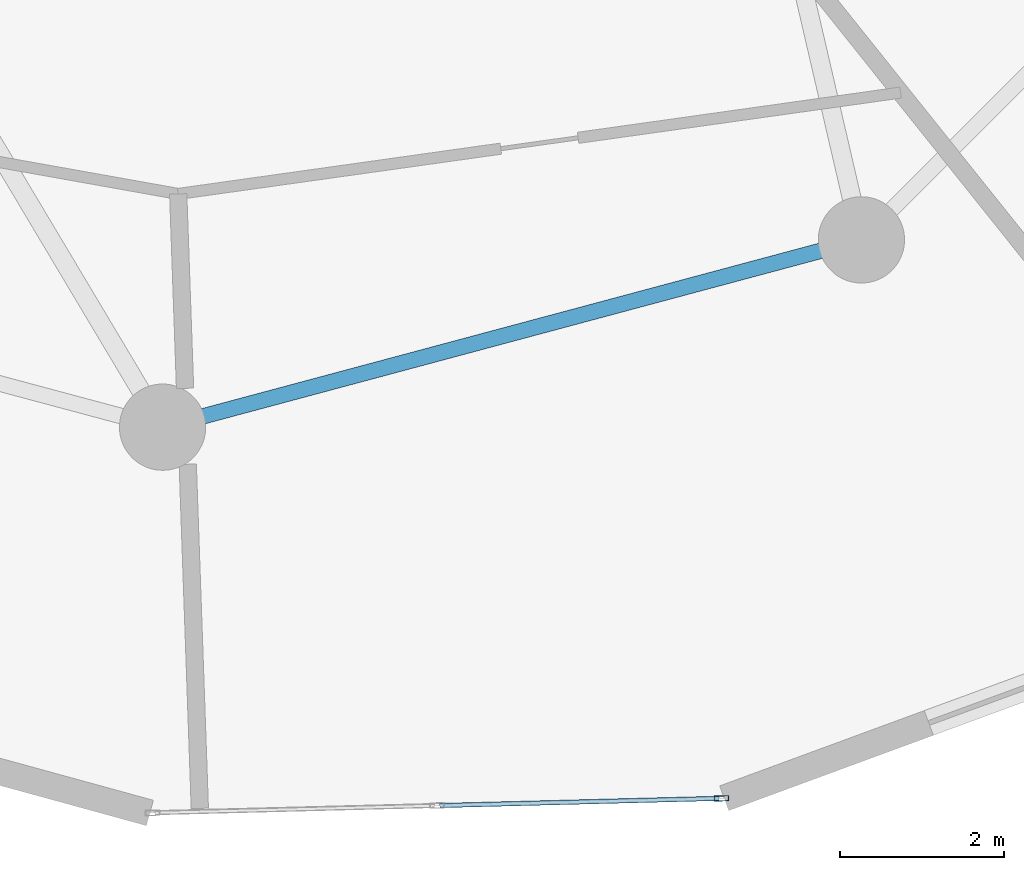
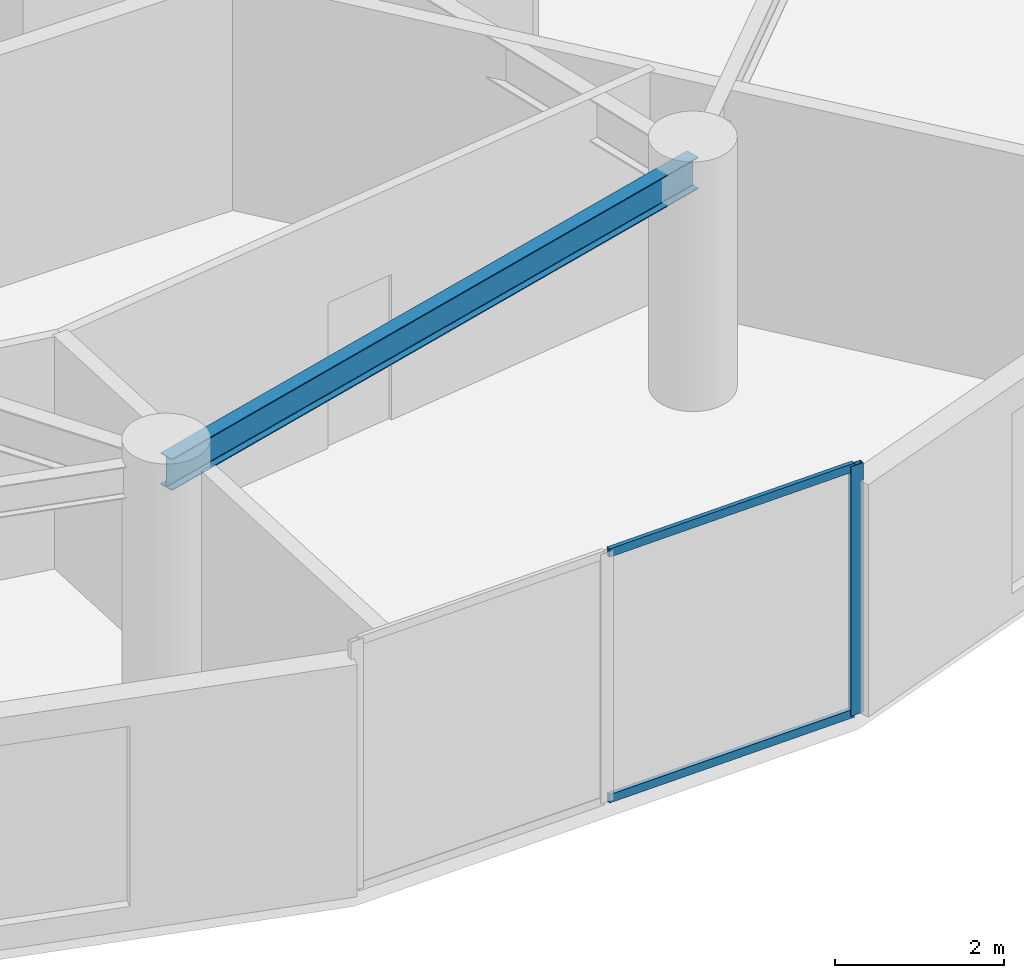
# One storey, part 4 of 25: 3 members, 1 beam, 1 element without a shape of its own.
"""IFC4 building model written with IfcOpenShell, lengths in metres."""

import ifcopenshell
import ifcopenshell.guid

model = None  # the IFC model being written
_history = None  # IfcOwnerHistory: only IFC2X3 demands one
_inside = {}  # id of a spatial element -> (the spatial element, [elements in it])
_under = {}  # id of a project, library or spatial element -> (it, [spatial elements below it])
_declared = {}  # id of a project -> (the project, [libraries it declares])
_typed = {}  # id of a type object -> (the type object, [elements of that type])
_made_of = {}  # id of a material, layer set ... -> (it, [elements and type objects made of it])


def new_model(schema):
    """Start an empty IFC model of exactly this schema.

    Asked for "IFC4X3", IfcOpenShell would pick the latest addendum, in which some entities
    have other attributes; the version numbers below select the first issue.
    IFC2X3 requires an IfcOwnerHistory on every rooted entity: one is made here for all.
    """
    global model, _history
    if schema == "IFC4X3":
        model = ifcopenshell.file(schema_version=(4, 3, 0, 0))
    else:
        model = ifcopenshell.file(schema=schema)
    _inside.clear()
    _under.clear()
    _declared.clear()
    _typed.clear()
    _made_of.clear()
    _history = None
    if model.schema == "IFC2X3":
        org = make("IfcOrganization", Name="unknown")
        user = make(
            "IfcPersonAndOrganization",
            ThePerson=make("IfcPerson", FamilyName="unknown"),
            TheOrganization=org,
        )
        app = make(
            "IfcApplication",
            ApplicationDeveloper=org,
            Version="unknown",
            ApplicationFullName="unknown",
            ApplicationIdentifier="unknown",
        )
        _history = make(
            "IfcOwnerHistory",
            OwningUser=user,
            OwningApplication=app,
            ChangeAction="ADDED",
            CreationDate=0,
        )
    return model


def make(cls, **values):
    """One entity of the class cls with the attributes given. An attribute that is None is left unset."""
    return model.create_entity(
        cls, **{name: value for name, value in values.items() if value is not None}
    )


def rooted(cls, **values):
    """An entity with a GlobalId (a new one), such as an element, a storey or a relation."""
    return make(cls, GlobalId=ifcopenshell.guid.new(), OwnerHistory=_history, **values)


def si_unit(unit_type, name, prefix=None):
    """IfcSIUnit, for example si_unit("LENGTHUNIT", "METRE", prefix="MILLI")."""
    return make("IfcSIUnit", UnitType=unit_type, Prefix=prefix, Name=name)


def assignment(units):
    """IfcUnitAssignment: the units of a project."""
    return None if units is None else make("IfcUnitAssignment", Units=units)


def point(xyz):
    """IfcCartesianPoint."""
    return None if xyz is None else make("IfcCartesianPoint", Coordinates=xyz)


def direction(xyz):
    """IfcDirection."""
    return None if xyz is None else make("IfcDirection", DirectionRatios=xyz)


def frame(location, z_axis=None, x_axis=None):
    """IfcAxis2Placement3D, a coordinate frame: its origin and axes. An axis left out is left unset."""
    return make(
        "IfcAxis2Placement3D",
        Location=point(location),
        Axis=direction(z_axis),
        RefDirection=direction(x_axis),
    )


def frame_2d(location, x_axis=None):
    """IfcAxis2Placement2D, a coordinate frame in the plane: its origin and x axis."""
    return make(
        "IfcAxis2Placement2D", Location=point(location), RefDirection=direction(x_axis)
    )


def origin():
    """The frame at (0, 0, 0) with its axes left unset."""
    return frame((0.0, 0.0, 0.0))


def origin_2d():
    """The frame at (0, 0) in the plane with its x axis left unset."""
    return frame_2d((0.0, 0.0))


def place(relative_to, where):
    """IfcLocalPlacement: puts the frame where relative to a parent placement (None: the world)."""
    return make(
        "IfcLocalPlacement", PlacementRelTo=relative_to, RelativePlacement=where
    )


def context(
    kind, dimensions, precision=None, world=None, true_north=None, identifier=None
):
    """IfcGeometricRepresentationContext, for example the 3D "Model" context."""
    return make(
        "IfcGeometricRepresentationContext",
        ContextIdentifier=identifier,
        ContextType=kind,
        CoordinateSpaceDimension=dimensions,
        Precision=precision,
        WorldCoordinateSystem=world,
        TrueNorth=true_north,
    )


def subcontext(parent, identifier, kind, view, scale=None):
    """IfcGeometricRepresentationSubContext, for example "Body" below "Model"."""
    return make(
        "IfcGeometricRepresentationSubContext",
        ContextIdentifier=identifier,
        ContextType=kind,
        ParentContext=parent,
        TargetScale=scale,
        TargetView=view,
    )


def project(units=None, contexts=None):
    """IfcProject with its units and contexts."""
    return rooted(
        "IfcProject",
        Name="project",
        RepresentationContexts=contexts,
        UnitsInContext=assignment(units),
    )


def spatial(cls, under=None, at=None, **own):
    """A site, building, storey or space (cls), placed at a placement, below another one or the project."""
    s = rooted(cls, ObjectPlacement=at, **own)
    if under is not None:
        _under.setdefault(under.id(), (under, []))[1].append(s)
    return s


def profile(cls, at=None, kind="AREA", **sizes):
    """A parametric profile (cls). Its sizes go by their IFC names, for example OverallWidth=200.0."""
    return make(cls, ProfileType=kind, Position=at, **sizes)


def hollow_rectangle(**sizes):
    """IfcRectangleHollowProfileDef."""
    return profile("IfcRectangleHollowProfileDef", **sizes)


def i_section(**sizes):
    """IfcIShapeProfileDef."""
    return profile("IfcIShapeProfileDef", **sizes)


def extrude(swept, where, along, depth):
    """IfcExtrudedAreaSolid: the profile swept, set in the frame where, extruded along a direction by depth."""
    return make(
        "IfcExtrudedAreaSolid",
        SweptArea=swept,
        Position=where,
        ExtrudedDirection=direction(along),
        Depth=depth,
    )


def shape(context_of_items, identifier, shape_type, items):
    """IfcShapeRepresentation: the items that make up one representation, for example the "Body"."""
    return make(
        "IfcShapeRepresentation",
        ContextOfItems=context_of_items,
        RepresentationIdentifier=identifier,
        RepresentationType=shape_type,
        Items=items,
    )


def source(mapping_origin, context_of_items, identifier, shape_type, items):
    """IfcRepresentationMap: a shape defined once, which mapped items show again and again."""
    return make(
        "IfcRepresentationMap",
        MappingOrigin=mapping_origin,
        MappedRepresentation=shape(context_of_items, identifier, shape_type, items),
    )


def transform(
    local_origin,
    x_axis=None,
    y_axis=None,
    z_axis=None,
    scale=None,
    scale2=None,
    scale3=None,
    uniform=True,
):
    """IfcCartesianTransformationOperator3D, or its non-uniform kind. x_axis, y_axis, z_axis: its Axis1, 2, 3."""
    if uniform:
        return make(
            "IfcCartesianTransformationOperator3D",
            Axis1=direction(x_axis),
            Axis2=direction(y_axis),
            LocalOrigin=point(local_origin),
            Scale=scale,
            Axis3=direction(z_axis),
        )
    return make(
        "IfcCartesianTransformationOperator3DnonUniform",
        Axis1=direction(x_axis),
        Axis2=direction(y_axis),
        LocalOrigin=point(local_origin),
        Scale=scale,
        Axis3=direction(z_axis),
        Scale2=scale2,
        Scale3=scale3,
    )


def mapped(mapping_source, mapping_target):
    """IfcMappedItem: shows the shape of a source again, moved by a transform."""
    return make(
        "IfcMappedItem", MappingSource=mapping_source, MappingTarget=mapping_target
    )


def material(Name=None, Category=None):
    """IfcMaterial."""
    return make("IfcMaterial", Name=Name, Category=Category)


def layer(
    of_material, thickness, ventilated=None, Name=None, Category=None, Priority=None
):
    """IfcMaterialLayer: one layer of a wall or slab, of a material (None: an air gap)."""
    return make(
        "IfcMaterialLayer",
        Material=of_material,
        LayerThickness=thickness,
        IsVentilated=ventilated,
        Name=Name,
        Category=Category,
        Priority=Priority,
    )


def layer_set(layers, Name=None):
    """IfcMaterialLayerSet."""
    return make("IfcMaterialLayerSet", MaterialLayers=layers, LayerSetName=Name)


def material_profile(
    of_material, cross_section, Name=None, Category=None, Priority=None
):
    """IfcMaterialProfile: a cross section and its material."""
    return make(
        "IfcMaterialProfile",
        Name=Name,
        Material=of_material,
        Profile=cross_section,
        Priority=Priority,
        Category=Category,
    )


def profile_set(profiles, Name=None, composite=None):
    """IfcMaterialProfileSet."""
    return make(
        "IfcMaterialProfileSet",
        Name=Name,
        MaterialProfiles=profiles,
        CompositeProfile=composite,
    )


def made_of(thing, what):
    """Note that an element or type object is made of a material, layer set ...; save() writes the relation."""
    if what is not None:
        _made_of.setdefault(what.id(), (what, []))[1].append(thing)
    return thing


def type_object(cls, material=None, **own):
    """A type object (cls), such as IfcWallType, which elements share."""
    return made_of(rooted(cls, **own), material)


def element(
    cls,
    number,
    at=None,
    inside=None,
    cuts=None,
    type_object=None,
    material=None,
    context=None,
    identifier="Body",
    shape_type=None,
    held_by="IfcProductDefinitionShape",
    body=None,
    shapes=None,
    **own,
):
    """One element of the class cls, such as IfcWall. Its Tag is "e" and its number.

    at: its placement. inside: the storey or other place that contains it. cuts: it is an
    opening in that element (IfcRelVoidsElement). A single representation is given by context,
    identifier, shape_type and body (its items); several are given by shapes. held_by: the class
    of the entity that holds the representations. save() writes the other relations.
    """
    e = rooted(cls, Tag="e%d" % number, ObjectPlacement=at, **own)
    if body is not None:
        shapes = [shape(context, identifier, shape_type, body)]
    if shapes is not None:
        e.Representation = make(held_by, Representations=shapes)
    if inside is not None:
        _inside.setdefault(inside.id(), (inside, []))[1].append(e)
    if cuts is not None:
        rooted(
            "IfcRelVoidsElement", RelatingBuildingElement=cuts, RelatedOpeningElement=e
        )
    if type_object is not None:
        _typed.setdefault(type_object.id(), (type_object, []))[1].append(e)
    return made_of(e, material)


def aggregate(whole, parts):
    """IfcRelAggregates: a whole, such as a stair, and the parts it consists of."""
    return rooted("IfcRelAggregates", RelatingObject=whole, RelatedObjects=parts)


def save(model, path):
    """Write the relations noted so far, then the file.

    IfcRelAggregates (storeys below a building ...), IfcRelContainedInSpatialStructure (elements
    in a storey), IfcRelDefinesByType, IfcRelAssociatesMaterial and IfcRelDeclares: one each for
    every whole, place, type object, material and project.
    """
    for whole, parts in _under.values():
        aggregate(whole, parts)
    for where, things in _inside.values():
        rooted(
            "IfcRelContainedInSpatialStructure",
            RelatedElements=things,
            RelatingStructure=where,
        )
    for kind, things in _typed.values():
        rooted("IfcRelDefinesByType", RelatedObjects=things, RelatingType=kind)
    for what, things in _made_of.values():
        rooted("IfcRelAssociatesMaterial", RelatedObjects=things, RelatingMaterial=what)
    for by, libraries in _declared.values():
        rooted("IfcRelDeclares", RelatingContext=by, RelatedDefinitions=libraries)
    model.write(path)


model = new_model("IFC4")

# Units and contexts
model_context = context("Model", 3, precision=1e-05, world=origin(), true_north=direction((0.0, 1.0)))
body_context = subcontext(model_context, "Body", "Model", "MODEL_VIEW")
ifc_project = project(units=[si_unit("LENGTHUNIT", "METRE"), si_unit("AREAUNIT", "SQUARE_METRE"), si_unit("VOLUMEUNIT", "CUBIC_METRE"), si_unit("PLANEANGLEUNIT", "RADIAN"), si_unit("MASSUNIT", "GRAM", prefix="KILO")], contexts=[model_context])

# Site, building, storey
site_placement = place(None, origin())
site = spatial("IfcSite", under=ifc_project, at=site_placement, CompositionType="ELEMENT")
building_placement = place(site_placement, origin())
building = spatial("IfcBuilding", under=site, at=building_placement, Name="Solvirekh Grand Hotel", CompositionType="ELEMENT")
storey_placement = place(building_placement, frame((0.0, 0.0, 127.800048828125)))
storey = spatial("IfcBuildingStorey", under=building, at=storey_placement, Name="L32", CompositionType="ELEMENT", Elevation=127.800048828125)

# Beam
ifc_material_1 = material(Name="Steel S355", Category="steel")
ifc_material_profile_1 = material_profile(ifc_material_1, i_section(OverallWidth=0.18994140625, OverallDepth=0.45703125, WebThickness=0.009033203125, FlangeThickness=0.013916015625, FilletRadius=0.012939453125, at=origin_2d()), Name="W460X74")
ifc_profile_set_1 = profile_set([ifc_material_profile_1], Name="Steel S355")
beam_type = type_object("IfcBeamType", Name="Spandrel_Ring_W460", PredefinedType="SPANDREL", material=ifc_profile_set_1)
beam_placement = place(storey_placement, frame((0.0, -17.0, 3.1220703125), z_axis=(0.965911391906, 0.258872908946, 0.0), x_axis=(-0.258872908946, 0.965911391906, 0.0)))
element("IfcBeam", 1, at=beam_placement, inside=storey, type_object=beam_type, Name="L32 perimeter spandrel beam 10", PredefinedType="SPANDREL", context=body_context, shape_type="SweptSolid", body=[
    extrude(i_section(OverallWidth=0.18994140625, OverallDepth=0.45703125, WebThickness=0.009033203125, FlangeThickness=0.013916015625, FilletRadius=0.012939453125, at=origin_2d()), origin(), (0.0, 0.0, 1.0), 8.800048828125),
])

# Curtain wall, members
ifc_material_2 = material(Name="Anodized Bronze Aluminium 6063-T6", Category="aluminium")
ifc_layer = layer(ifc_material_2, 0.175048828125)
ifc_layer_set = layer_set([ifc_layer], Name="Anodized Bronze Aluminium 6063-T6")
curtain_wall_type = type_object("IfcCurtainWallType", Name="CW_Sys3_MidZoneFlushBronzeCW", PredefinedType="NOTDEFINED", material=ifc_layer_set)
curtain_wall_placement = place(storey_placement, origin())
curtain_wall = element("IfcCurtainWall", 2, at=curtain_wall_placement, inside=storey, type_object=curtain_wall_type, Name="L32 unitised bronze-glass curtain wall CW-L32-C18", PredefinedType="NOTDEFINED")
ifc_material_profile_2 = material_profile(ifc_material_2, hollow_rectangle(XDim=0.06494140625, YDim=0.175048828125, WallThickness=0.0048828125, at=origin_2d()), Name="ALU RHS 175X65X5")
ifc_profile_set_2 = profile_set([ifc_material_profile_2], Name="Anodized Bronze Aluminium 6063-T6")
member_type_1 = type_object("IfcMemberType", Name="CWMullion_Sys3", PredefinedType="MULLION", material=ifc_profile_set_2)
shared_shape_1 = source(origin(), body_context, "Body", "SweptSolid", [
    extrude(hollow_rectangle(XDim=0.06494140625, YDim=0.175048828125, WallThickness=0.0048828125, at=origin_2d()), origin(), (0.0, 0.0, 1.0), 3.599853515625),
])
member_1_placement = place(storey_placement, frame((6.799560546875, -21.514892578125, 0.0), z_axis=(0.0, 0.0, 1.0), x_axis=(-0.025610603562, 0.999671994699, 0.0)))
member_1 = element("IfcMember", 3, at=member_1_placement, type_object=member_type_1, Name="U03 mullion 3", PredefinedType="MULLION", context=body_context, shape_type="MappedRepresentation", body=[
    mapped(shared_shape_1, transform((0.0, 0.0, 0.0), x_axis=(1.0, 0.0, 0.0), y_axis=(0.0, 1.0, 0.0), z_axis=(0.0, 0.0, 1.0), scale=1.0)),
])
ifc_material_profile_3 = material_profile(ifc_material_2, hollow_rectangle(XDim=0.054931640625, YDim=0.1201171875, WallThickness=0.00390625, at=origin_2d()), Name="ALU RHS 120X55X4")
ifc_profile_set_3 = profile_set([ifc_material_profile_3], Name="Anodized Bronze Aluminium 6063-T6")
member_type_2 = type_object("IfcMemberType", Name="CWTransom_Sys3", PredefinedType="USERDEFINED", material=ifc_profile_set_3)
shared_shape_2 = source(origin(), body_context, "Body", "SweptSolid", [
    extrude(hollow_rectangle(XDim=0.054931640625, YDim=0.1201171875, WallThickness=0.00390625, at=origin_2d()), origin(), (0.0, 0.0, 1.0), 3.397216796875),
])
member_2_placement = place(storey_placement, frame((3.37109375, -21.602783203125, 0.02734375), z_axis=(0.999670816778, 0.025656540733, 0.0), x_axis=(-0.025656540733, 0.999670816778, 0.0)))
member_2 = element("IfcMember", 4, at=member_2_placement, type_object=member_type_2, Name="U03 transom 2.1", ObjectType="TRANSOM", PredefinedType="USERDEFINED", context=body_context, shape_type="MappedRepresentation", body=[
    mapped(shared_shape_2, transform((0.0, 0.0, 0.0), x_axis=(1.0, 0.0, 0.0), y_axis=(0.0, 1.0, 0.0), z_axis=(0.0, 0.0, 1.0), scale=1.0)),
])
member_3_placement = place(storey_placement, frame((3.37109375, -21.602783203125, 3.572509765625), z_axis=(0.999670816778, 0.025656540733, 0.0), x_axis=(-0.025656540733, 0.999670816778, 0.0)))
member_3 = element("IfcMember", 5, at=member_3_placement, type_object=member_type_2, Name="U03 transom 2.2", ObjectType="TRANSOM", PredefinedType="USERDEFINED", context=body_context, shape_type="MappedRepresentation", body=[
    mapped(shared_shape_2, transform((0.0, 0.0, 0.0), x_axis=(1.0, 0.0, 0.0), y_axis=(0.0, 1.0, 0.0), z_axis=(0.0, 0.0, 1.0), scale=1.0)),
])
aggregate(curtain_wall, [member_1, member_2, member_3])

save(model, "model.ifc")
